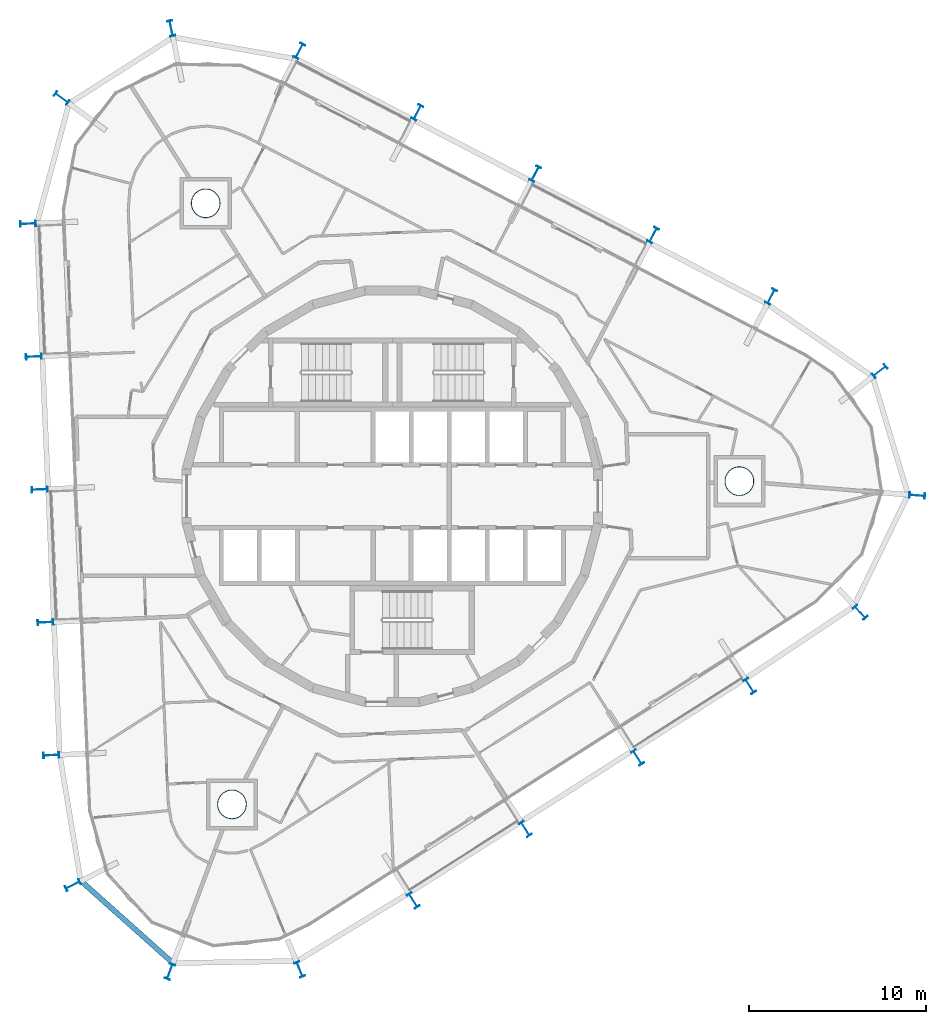
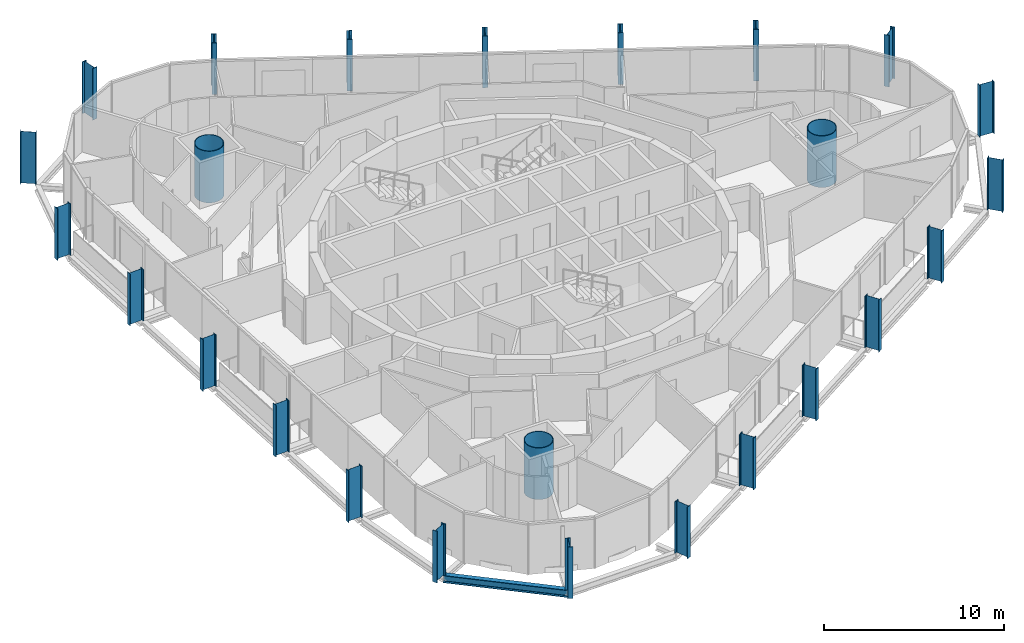
# One storey, part 1 of 18: 25 columns, 1 beam.
"""IFC4 building model written with IfcOpenShell, lengths in metres."""

import ifcopenshell
import ifcopenshell.guid

model = None  # the IFC model being written
_history = None  # IfcOwnerHistory: only IFC2X3 demands one
_inside = {}  # id of a spatial element -> (the spatial element, [elements in it])
_under = {}  # id of a project, library or spatial element -> (it, [spatial elements below it])
_declared = {}  # id of a project -> (the project, [libraries it declares])
_typed = {}  # id of a type object -> (the type object, [elements of that type])
_made_of = {}  # id of a material, layer set ... -> (it, [elements and type objects made of it])


def new_model(schema):
    """Start an empty IFC model of exactly this schema.

    Asked for "IFC4X3", IfcOpenShell would pick the latest addendum, in which some entities
    have other attributes; the version numbers below select the first issue.
    IFC2X3 requires an IfcOwnerHistory on every rooted entity: one is made here for all.
    """
    global model, _history
    if schema == "IFC4X3":
        model = ifcopenshell.file(schema_version=(4, 3, 0, 0))
    else:
        model = ifcopenshell.file(schema=schema)
    _inside.clear()
    _under.clear()
    _declared.clear()
    _typed.clear()
    _made_of.clear()
    _history = None
    if model.schema == "IFC2X3":
        org = make("IfcOrganization", Name="unknown")
        user = make(
            "IfcPersonAndOrganization",
            ThePerson=make("IfcPerson", FamilyName="unknown"),
            TheOrganization=org,
        )
        app = make(
            "IfcApplication",
            ApplicationDeveloper=org,
            Version="unknown",
            ApplicationFullName="unknown",
            ApplicationIdentifier="unknown",
        )
        _history = make(
            "IfcOwnerHistory",
            OwningUser=user,
            OwningApplication=app,
            ChangeAction="ADDED",
            CreationDate=0,
        )
    return model


def make(cls, **values):
    """One entity of the class cls with the attributes given. An attribute that is None is left unset."""
    return model.create_entity(
        cls, **{name: value for name, value in values.items() if value is not None}
    )


def rooted(cls, **values):
    """An entity with a GlobalId (a new one), such as an element, a storey or a relation."""
    return make(cls, GlobalId=ifcopenshell.guid.new(), OwnerHistory=_history, **values)


def si_unit(unit_type, name, prefix=None):
    """IfcSIUnit, for example si_unit("LENGTHUNIT", "METRE", prefix="MILLI")."""
    return make("IfcSIUnit", UnitType=unit_type, Prefix=prefix, Name=name)


def assignment(units):
    """IfcUnitAssignment: the units of a project."""
    return None if units is None else make("IfcUnitAssignment", Units=units)


def point(xyz):
    """IfcCartesianPoint."""
    return None if xyz is None else make("IfcCartesianPoint", Coordinates=xyz)


def direction(xyz):
    """IfcDirection."""
    return None if xyz is None else make("IfcDirection", DirectionRatios=xyz)


def frame(location, z_axis=None, x_axis=None):
    """IfcAxis2Placement3D, a coordinate frame: its origin and axes. An axis left out is left unset."""
    return make(
        "IfcAxis2Placement3D",
        Location=point(location),
        Axis=direction(z_axis),
        RefDirection=direction(x_axis),
    )


def frame_2d(location, x_axis=None):
    """IfcAxis2Placement2D, a coordinate frame in the plane: its origin and x axis."""
    return make(
        "IfcAxis2Placement2D", Location=point(location), RefDirection=direction(x_axis)
    )


def origin():
    """The frame at (0, 0, 0) with its axes left unset."""
    return frame((0.0, 0.0, 0.0))


def origin_2d():
    """The frame at (0, 0) in the plane with its x axis left unset."""
    return frame_2d((0.0, 0.0))


def place(relative_to, where):
    """IfcLocalPlacement: puts the frame where relative to a parent placement (None: the world)."""
    return make(
        "IfcLocalPlacement", PlacementRelTo=relative_to, RelativePlacement=where
    )


def context(
    kind, dimensions, precision=None, world=None, true_north=None, identifier=None
):
    """IfcGeometricRepresentationContext, for example the 3D "Model" context."""
    return make(
        "IfcGeometricRepresentationContext",
        ContextIdentifier=identifier,
        ContextType=kind,
        CoordinateSpaceDimension=dimensions,
        Precision=precision,
        WorldCoordinateSystem=world,
        TrueNorth=true_north,
    )


def subcontext(parent, identifier, kind, view, scale=None):
    """IfcGeometricRepresentationSubContext, for example "Body" below "Model"."""
    return make(
        "IfcGeometricRepresentationSubContext",
        ContextIdentifier=identifier,
        ContextType=kind,
        ParentContext=parent,
        TargetScale=scale,
        TargetView=view,
    )


def project(units=None, contexts=None):
    """IfcProject with its units and contexts."""
    return rooted(
        "IfcProject",
        Name="project",
        RepresentationContexts=contexts,
        UnitsInContext=assignment(units),
    )


def spatial(cls, under=None, at=None, **own):
    """A site, building, storey or space (cls), placed at a placement, below another one or the project."""
    s = rooted(cls, ObjectPlacement=at, **own)
    if under is not None:
        _under.setdefault(under.id(), (under, []))[1].append(s)
    return s


def profile(cls, at=None, kind="AREA", **sizes):
    """A parametric profile (cls). Its sizes go by their IFC names, for example OverallWidth=200.0."""
    return make(cls, ProfileType=kind, Position=at, **sizes)


def hollow_circle(**sizes):
    """IfcCircleHollowProfileDef."""
    return profile("IfcCircleHollowProfileDef", **sizes)


def i_section(**sizes):
    """IfcIShapeProfileDef."""
    return profile("IfcIShapeProfileDef", **sizes)


def extrude(swept, where, along, depth):
    """IfcExtrudedAreaSolid: the profile swept, set in the frame where, extruded along a direction by depth."""
    return make(
        "IfcExtrudedAreaSolid",
        SweptArea=swept,
        Position=where,
        ExtrudedDirection=direction(along),
        Depth=depth,
    )


def shape(context_of_items, identifier, shape_type, items):
    """IfcShapeRepresentation: the items that make up one representation, for example the "Body"."""
    return make(
        "IfcShapeRepresentation",
        ContextOfItems=context_of_items,
        RepresentationIdentifier=identifier,
        RepresentationType=shape_type,
        Items=items,
    )


def material(Name=None, Category=None):
    """IfcMaterial."""
    return make("IfcMaterial", Name=Name, Category=Category)


def material_profile(
    of_material, cross_section, Name=None, Category=None, Priority=None
):
    """IfcMaterialProfile: a cross section and its material."""
    return make(
        "IfcMaterialProfile",
        Name=Name,
        Material=of_material,
        Profile=cross_section,
        Priority=Priority,
        Category=Category,
    )


def profile_set(profiles, Name=None, composite=None):
    """IfcMaterialProfileSet."""
    return make(
        "IfcMaterialProfileSet",
        Name=Name,
        MaterialProfiles=profiles,
        CompositeProfile=composite,
    )


def made_of(thing, what):
    """Note that an element or type object is made of a material, layer set ...; save() writes the relation."""
    if what is not None:
        _made_of.setdefault(what.id(), (what, []))[1].append(thing)
    return thing


def type_object(cls, material=None, **own):
    """A type object (cls), such as IfcWallType, which elements share."""
    return made_of(rooted(cls, **own), material)


def element(
    cls,
    number,
    at=None,
    inside=None,
    cuts=None,
    type_object=None,
    material=None,
    context=None,
    identifier="Body",
    shape_type=None,
    held_by="IfcProductDefinitionShape",
    body=None,
    shapes=None,
    **own,
):
    """One element of the class cls, such as IfcWall. Its Tag is "e" and its number.

    at: its placement. inside: the storey or other place that contains it. cuts: it is an
    opening in that element (IfcRelVoidsElement). A single representation is given by context,
    identifier, shape_type and body (its items); several are given by shapes. held_by: the class
    of the entity that holds the representations. save() writes the other relations.
    """
    e = rooted(cls, Tag="e%d" % number, ObjectPlacement=at, **own)
    if body is not None:
        shapes = [shape(context, identifier, shape_type, body)]
    if shapes is not None:
        e.Representation = make(held_by, Representations=shapes)
    if inside is not None:
        _inside.setdefault(inside.id(), (inside, []))[1].append(e)
    if cuts is not None:
        rooted(
            "IfcRelVoidsElement", RelatingBuildingElement=cuts, RelatedOpeningElement=e
        )
    if type_object is not None:
        _typed.setdefault(type_object.id(), (type_object, []))[1].append(e)
    return made_of(e, material)


def aggregate(whole, parts):
    """IfcRelAggregates: a whole, such as a stair, and the parts it consists of."""
    return rooted("IfcRelAggregates", RelatingObject=whole, RelatedObjects=parts)


def save(model, path):
    """Write the relations noted so far, then the file.

    IfcRelAggregates (storeys below a building ...), IfcRelContainedInSpatialStructure (elements
    in a storey), IfcRelDefinesByType, IfcRelAssociatesMaterial and IfcRelDeclares: one each for
    every whole, place, type object, material and project.
    """
    for whole, parts in _under.values():
        aggregate(whole, parts)
    for where, things in _inside.values():
        rooted(
            "IfcRelContainedInSpatialStructure",
            RelatedElements=things,
            RelatingStructure=where,
        )
    for kind, things in _typed.values():
        rooted("IfcRelDefinesByType", RelatedObjects=things, RelatingType=kind)
    for what, things in _made_of.values():
        rooted("IfcRelAssociatesMaterial", RelatedObjects=things, RelatingMaterial=what)
    for by, libraries in _declared.values():
        rooted("IfcRelDeclares", RelatingContext=by, RelatedDefinitions=libraries)
    model.write(path)


model = new_model("IFC4")

# Units and contexts
model_context = context("Model", 3, precision=1e-05, world=origin(), true_north=direction((0.0, 1.0)))
body_context = subcontext(model_context, "Body", "Model", "MODEL_VIEW")
ifc_project = project(units=[si_unit("LENGTHUNIT", "METRE"), si_unit("AREAUNIT", "SQUARE_METRE"), si_unit("VOLUMEUNIT", "CUBIC_METRE"), si_unit("PLANEANGLEUNIT", "RADIAN"), si_unit("MASSUNIT", "GRAM", prefix="KILO")], contexts=[model_context])

# Site, building, storey
site_placement = place(None, origin())
site = spatial("IfcSite", under=ifc_project, at=site_placement, CompositionType="ELEMENT")
building_placement = place(site_placement, origin())
building = spatial("IfcBuilding", under=site, at=building_placement, Name="Spindle Arch Residences", CompositionType="ELEMENT")
storey_placement = place(building_placement, frame((0.0, 0.0, 233.699951171875)))
storey = spatial("IfcBuildingStorey", under=building, at=storey_placement, Name="L59", CompositionType="ELEMENT", Elevation=233.699951171875)

# Columns
ifc_material_1 = material(Name="Steel S460ML, intumescent coating R 240", Category="steel")
ifc_material_profile_1 = material_profile(ifc_material_1, i_section(OverallWidth=0.300048828125, OverallDepth=0.89990234375, WebThickness=0.0185546875, FlangeThickness=0.034912109375, FilletRadius=0.030029296875, at=origin_2d()), Name="HEB 900")
ifc_profile_set_1 = profile_set([ifc_material_profile_1], Name="Steel S460ML, intumescent coating R 240")
column_type_1 = type_object("IfcColumnType", Name="Exoskeleton post HEB 900", PredefinedType="COLUMN", material=ifc_profile_set_1)
for number, where, z_axis, x_axis, name in (
    (1, (13.885986328125, -14.78955078125, -0.3798828125), (0.0, 0.0, 1.0), (-0.843391139633, -0.537300088953, 0.0), "Exoskeleton post 1"),
    (2, (20.23681640625, -10.74365234375, -0.3798828125), (0.0, 0.0, 1.0), (-0.843391139633, -0.537300088953, 0.0), "Exoskeleton post 2"),
    (3, (26.49462890625, -6.569091796875, -0.3798828125), (0.0, 0.0, 1.0), (-0.735346889002, -0.677690897707, 0.0), "Exoskeleton post 3"),
    (4, (29.71728515625, 0.04443359375, -0.3798828125), (0.0, 0.0, 1.0), (-0.080537962999, -0.996751542018, 0.0), "Exoskeleton post 4"),
    (5, (27.598388671875, 7.089599609375, -0.3798828125), (0.0, 0.0, 1.0), (0.617001797175, -0.786961741308, 0.0), "Exoskeleton post 5"),
    (6, (21.449951171875, 11.3076171875, -0.3798828125), (0.0, 0.0, 1.0), (0.887010710334, -0.461748849216, 0.0), "Exoskeleton post 6"),
    (7, (14.770751953125, 14.784423828125, -0.3798828125), (0.0, 0.0, 1.0), (0.887010710334, -0.461748849216, 0.0), "Exoskeleton post 7"),
    (8, (8.09130859375, 18.261474609375, -0.3798828125), (0.0, 0.0, 1.0), (0.887010710334, -0.461748849216, 0.0), "Exoskeleton post 8"),
    (9, (1.412109375, 21.738525390625, -0.3798828125), (0.0, 0.0, 1.0), (0.887010710334, -0.461748849216, 0.0), "Exoskeleton post 9"),
    (10, (-5.26708984375, 25.215576171875, -0.3798828125), (0.0, 0.0, 1.0), (0.887010710334, -0.461748849216, 0.0), "Exoskeleton post 10"),
    (11, (-12.51953125, 26.498046875, -0.3798828125), (0.0, 0.0, 1.0), (0.981152901053, 0.193232980505, 0.0), "Exoskeleton post 11"),
    (12, (-18.724365234375, 22.545166015625, -0.3798828125), (0.0, 0.0, 1.0), (0.589781110017, 0.807563150637, 0.0), "Exoskeleton post 12"),
    (13, (-20.626953125, 15.43017578125, -0.3798828125), (0.0, 0.0, 1.0), (-0.043619010384, 0.999048238041, 0.0), "Exoskeleton post 13"),
    (14, (-20.298583984375, 7.9072265625, -0.3798828125), (0.0, 0.0, 1.0), (-0.043619010384, 0.999048238041, 0.0), "Exoskeleton post 14"),
    (15, (-19.97021484375, 0.38427734375, -0.3798828125), (0.0, 0.0, 1.0), (-0.043619010384, 0.999048238041, 0.0), "Exoskeleton post 15"),
    (16, (-19.6416015625, -7.138671875, -0.3798828125), (0.0, 0.0, 1.0), (-0.043619010384, 0.999048238041, 0.0), "Exoskeleton post 16"),
    (17, (-19.313232421875, -14.66162109375, -0.3798828125), (0.0, 0.0, 1.0), (-0.043619010384, 0.999048238041, 0.0), "Exoskeleton post 17"),
    (18, (-18.089111328125, -22.016357421875, -0.3798828125), (0.0, 0.0, 1.0), (-0.452473836659, 0.89177767809, 0.0), "Exoskeleton post 18"),
    (19, (-12.599365234375, -26.9140625, -0.3798828125), (0.0, 0.0, 1.0), (-0.937400631219, 0.348252863002, 0.0), "Exoskeleton post 19"),
    (20, (-5.243408203125, -26.78857421875, -0.3798828125), (0.0, 0.0, 1.0), (-0.924967647063, -0.380045854978, 0.0), "Exoskeleton post 20"),
    (21, (1.1845703125, -22.88134765625, -0.3798828125), (0.0, 0.0, 1.0), (-0.843391139633, -0.537300088953, 0.0), "Exoskeleton post 21"),
    (22, (7.535400390625, -18.83544921875, -0.3798828125), (0.0, 0.0, 1.0), (-0.843391139633, -0.537300088953, 0.0), "Exoskeleton post 22"),
):
    element("IfcColumn", number, at=place(storey_placement, frame(where, z_axis=z_axis, x_axis=x_axis)), inside=storey, type_object=column_type_1, Name=name, PredefinedType="COLUMN", context=body_context, shape_type="SweptSolid", body=[
        extrude(i_section(OverallWidth=0.300048828125, OverallDepth=0.89990234375, WebThickness=0.0185546875, FlangeThickness=0.034912109375, FilletRadius=0.030029296875, at=origin_2d()), origin(), (0.0, 0.0, 1.0), 3.5),
    ])
ifc_material_2 = material(Name="Concrete C50/60 filled steel tube S460ML, intumescent coating R 240", Category="concrete")
ifc_material_profile_2 = material_profile(ifc_material_2, hollow_circle(Radius=0.824951171875, WallThickness=0.0400390625, at=origin_2d()), Name="CFT D1650x40")
ifc_profile_set_2 = profile_set([ifc_material_profile_2], Name="Concrete C50/60 filled steel tube S460ML, intumescent coating R 240")
column_type_2 = type_object("IfcColumnType", Name="Mega-column CFT D1650x40", PredefinedType="COLUMN", material=ifc_profile_set_2)
for number, where, z_axis, x_axis, name in (
    (23, (19.64990234375, 0.85791015625, -0.3798828125), (0.0, 0.0, 1.0), (1.0, 0.0, 0.0), "Mega-column 1"),
    (24, (-10.568115234375, 16.58837890625, -0.3798828125), (0.0, 0.0, 1.0), (1.0, 0.0, 0.0), "Mega-column 2"),
    (25, (-9.08203125, -17.4462890625, -0.3798828125), (0.0, 0.0, 1.0), (1.0, 0.0, 0.0), "Mega-column 3"),
):
    element("IfcColumn", number, at=place(storey_placement, frame(where, z_axis=z_axis, x_axis=x_axis)), inside=storey, type_object=column_type_2, Name=name, PredefinedType="COLUMN", context=body_context, shape_type="SweptSolid", body=[
        extrude(hollow_circle(Radius=0.824951171875, WallThickness=0.0400390625, at=origin_2d()), origin(), (0.0, 0.0, 1.0), 3.5),
    ])

# Beam
ifc_material_3 = material(Name="Steel S460ML, intumescent coating R 120", Category="steel")
ifc_material_profile_3 = material_profile(ifc_material_3, i_section(OverallWidth=0.300048828125, OverallDepth=0.5, WebThickness=0.014404296875, FlangeThickness=0.028076171875, FilletRadius=0.027099609375, at=origin_2d()), Name="HEB 500")
ifc_profile_set_3 = profile_set([ifc_material_profile_3], Name="Steel S460ML, intumescent coating R 120")
beam_type = type_object("IfcBeamType", Name="Exoskeleton edge beam HEB 500", PredefinedType="BEAM", material=ifc_profile_set_3)
beam_placement = place(storey_placement, frame((-17.67236328125, -21.74462890625, -0.6298828125), z_axis=(0.746176267139, -0.66574843474, 0.0), x_axis=(0.66574843474, 0.746176267139, 0.0)))
element("IfcBeam", 26, at=beam_placement, inside=storey, type_object=beam_type, Name="Exoskeleton edge beam 18", PredefinedType="BEAM", context=body_context, shape_type="SweptSolid", body=[
    extrude(i_section(OverallWidth=0.300048828125, OverallDepth=0.5, WebThickness=0.014404296875, FlangeThickness=0.028076171875, FilletRadius=0.027099609375, at=origin_2d()), origin(), (0.0, 0.0, 1.0), 7.09716796875),
])

save(model, "model.ifc")
